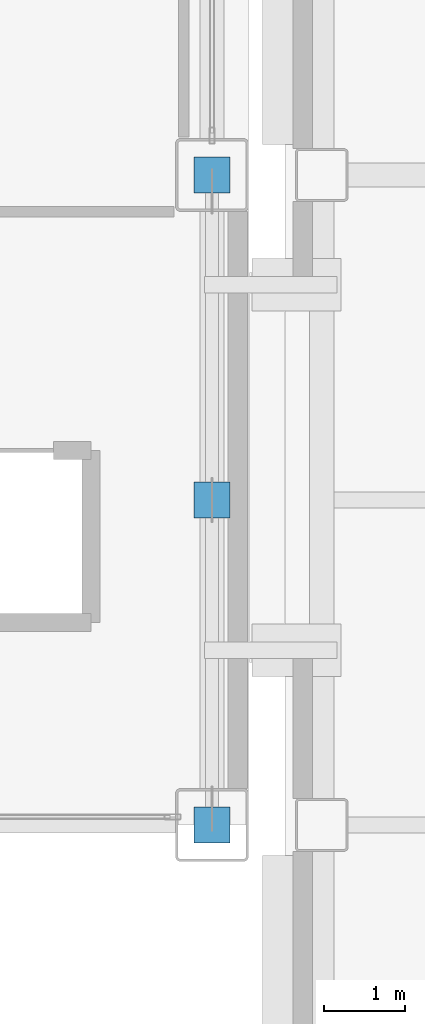
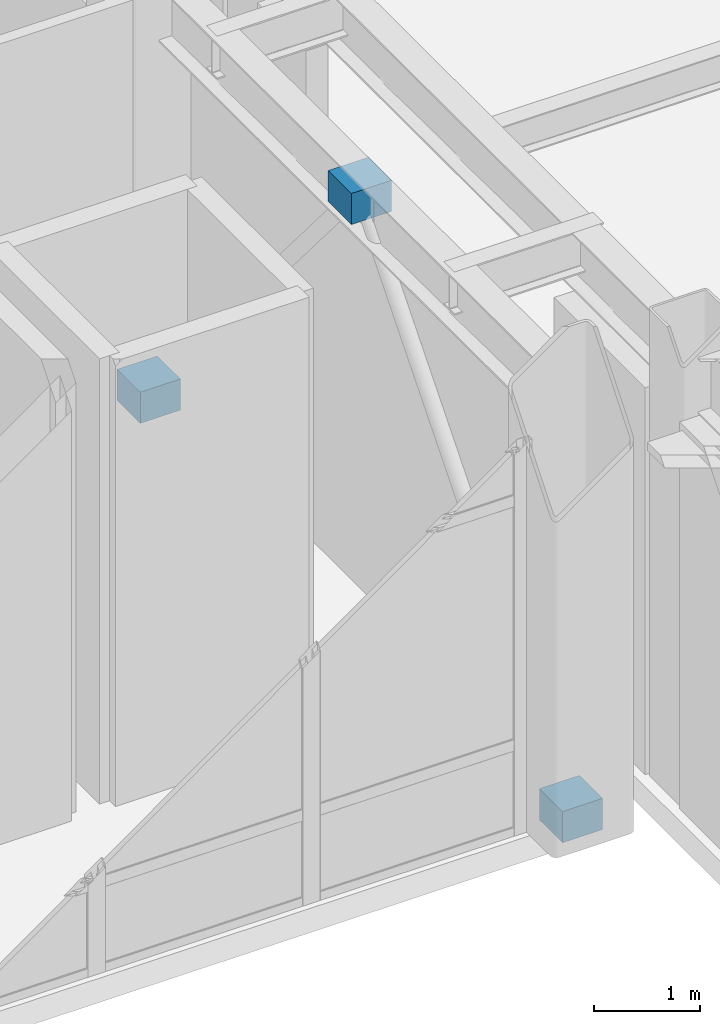
# One storey, part 139 of 165: 3 discrete accessories.
"""IFC4 building model written with IfcOpenShell, lengths in metres."""

from ifc_helpers import new_model, si_unit, direction, frame, origin, origin_2d, place, context, subcontext, project, spatial, rectangle, extrude, material, layer, layer_set, type_object, element, save


model = new_model("IFC4")

# Units and contexts
model_context = context("Model", 3, precision=1e-05, world=origin(), true_north=direction((0.0, 1.0)))
body_context = subcontext(model_context, "Body", "Model", "MODEL_VIEW")
ifc_project = project(units=[si_unit("LENGTHUNIT", "METRE"), si_unit("AREAUNIT", "SQUARE_METRE"), si_unit("VOLUMEUNIT", "CUBIC_METRE"), si_unit("PLANEANGLEUNIT", "RADIAN"), si_unit("MASSUNIT", "GRAM", prefix="KILO")], contexts=[model_context])

# Site, building, storey
site_placement = place(None, origin())
site = spatial("IfcSite", under=ifc_project, at=site_placement, CompositionType="ELEMENT")
building_placement = place(site_placement, origin())
building = spatial("IfcBuilding", under=site, at=building_placement, Name="Kazehara Bluff Congress Hotel", CompositionType="ELEMENT")
storey_placement = place(building_placement, origin())
storey = spatial("IfcBuildingStorey", under=building, at=storey_placement, Name="L00", CompositionType="ELEMENT", Elevation=0.0)

# Discrete accessories
ifc_material = material(Name="Steel SN490B", Category="steel")
ifc_layer = layer(ifc_material, 0.360107421875)
ifc_layer_set = layer_set([ifc_layer], Name="Steel SN490B")
discrete_accessory_type = type_object("IfcDiscreteAccessoryType", Name="TP-CAP-BRN", PredefinedType="BRACKET", material=ifc_layer_set)
for number, where, z_axis, x_axis, name in (
    (1, (58.35009765625, 52.449951171875, 4.69482421875), (0.0, 0.0, 1.0), (1.0, 0.0, 0.0), "Chevron apex node L00 5"),
    (2, (58.35009765625, 48.449951171875, -0.0302734375), (0.0, 0.0, 1.0), (1.0, 0.0, 0.0), "Chevron foot node L00 5A"),
    (3, (58.35009765625, 56.449951171875, -0.0302734375), (0.0, 0.0, 1.0), (1.0, 0.0, 0.0), "Chevron foot node L00 5B"),
):
    element("IfcDiscreteAccessory", number, at=place(storey_placement, frame(where, z_axis=z_axis, x_axis=x_axis)), inside=storey, type_object=discrete_accessory_type, Name=name, PredefinedType="BRACKET", context=body_context, shape_type="SweptSolid", body=[
        extrude(rectangle(XDim=0.43994140625, YDim=0.43994140625, at=origin_2d()), origin(), (0.0, 0.0, 1.0), 0.360107421875),
    ])

save(model, "model.ifc")
